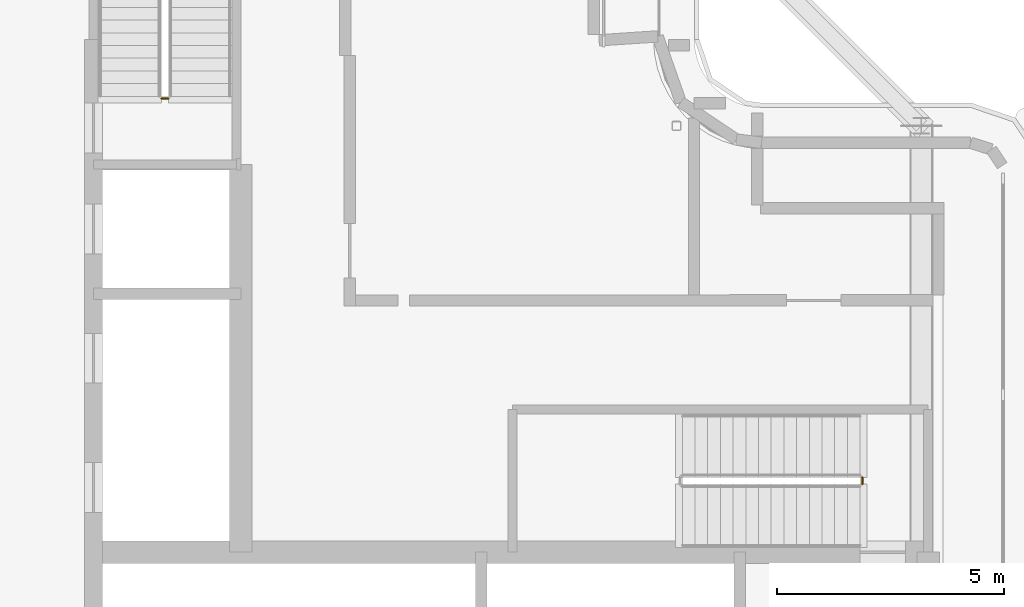
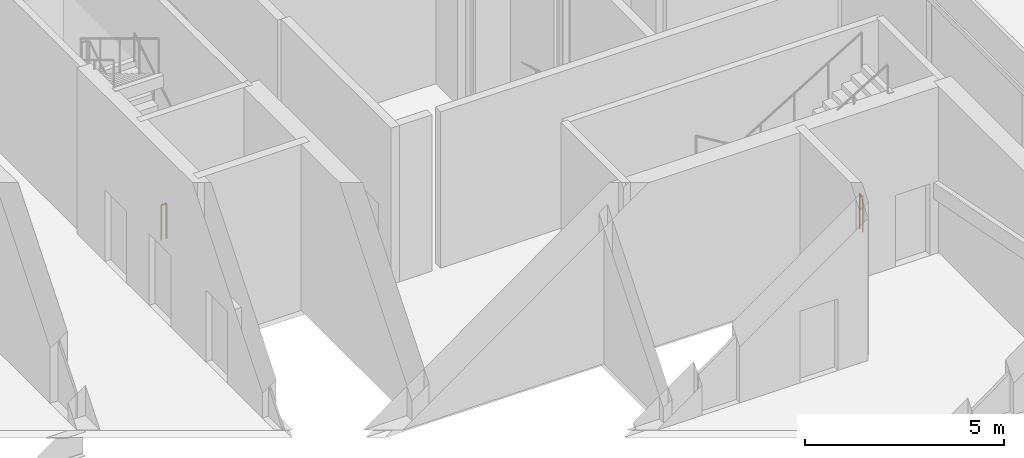
# One storey, part 15 of 18: 2 railings.
"""IFC4 building model written with IfcOpenShell, lengths in metres."""

from ifc_helpers import new_model, si_unit, direction, frame, origin, origin_2d, place, context, subcontext, project, spatial, circle, extrude, material, type_object, element, save


model = new_model("IFC4")

# Units and contexts
model_context = context("Model", 3, precision=1e-05, world=origin(), true_north=direction((0.0, 1.0)))
body_context = subcontext(model_context, "Body", "Model", "MODEL_VIEW")
ifc_project = project(units=[si_unit("LENGTHUNIT", "METRE"), si_unit("AREAUNIT", "SQUARE_METRE"), si_unit("VOLUMEUNIT", "CUBIC_METRE"), si_unit("PLANEANGLEUNIT", "RADIAN"), si_unit("MASSUNIT", "GRAM", prefix="KILO")], contexts=[model_context])

# Site, building, storey
site_placement = place(None, origin())
site = spatial("IfcSite", under=ifc_project, at=site_placement, CompositionType="ELEMENT")
building_placement = place(site_placement, origin())
building = spatial("IfcBuilding", under=site, at=building_placement, Name="Kheshtan School and Residences Tower", CompositionType="ELEMENT")
storey_placement = place(building_placement, frame((0.0, 0.0, 333.199951171875)))
storey = spatial("IfcBuildingStorey", under=building, at=storey_placement, Name="L78", CompositionType="ELEMENT", Elevation=333.199951171875)

# Railings
ifc_material = material(Name="Stainless steel balustrade", Category="steel")
railing_type = type_object("IfcRailingType", Name="Stair guard 1100", PredefinedType="GUARDRAIL", material=ifc_material)
railing_1_placement = place(storey_placement, frame((51.699951171875, 37.85009765625, 0.0)))
element("IfcRailing", 1, at=railing_1_placement, inside=storey, type_object=railing_type, Name="L78 ST1 stair guard 2", PredefinedType="GUARDRAIL", context=body_context, shape_type="SweptSolid", body=[
    extrude(circle(Radius=0.02392578125, at=origin_2d()), frame((0.0, 0.0, 1.076171875), z_axis=(0.0, -1.0, 0.0), x_axis=(1.0, 0.0, 0.0)), (0.0, 0.0, 1.0), 0.150146484375),
    extrude(circle(Radius=0.02099609375, at=origin_2d()), origin(), (0.0, 0.0, 1.0), 1.052001953125),
    extrude(circle(Radius=0.02099609375, at=origin_2d()), frame((0.0, -0.150146484375, 0.0)), (0.0, 0.0, 1.0), 1.052001953125),
])
railing_2_placement = place(storey_placement, frame((36.39990234375, 46.199951171875, 0.0)))
element("IfcRailing", 2, at=railing_2_placement, inside=storey, type_object=railing_type, Name="L78 ST2 stair guard 2", PredefinedType="GUARDRAIL", context=body_context, shape_type="SweptSolid", body=[
    extrude(circle(Radius=0.02392578125, at=origin_2d()), frame((0.0, 0.0, 1.076171875), z_axis=(-1.0, 0.0, 0.0), x_axis=(0.0, -1.0, 0.0)), (0.0, 0.0, 1.0), 0.14990234375),
    extrude(circle(Radius=0.02099609375, at=origin_2d()), origin(), (0.0, 0.0, 1.0), 1.052001953125),
    extrude(circle(Radius=0.02099609375, at=origin_2d()), frame((-0.14990234375, 0.0, 0.0)), (0.0, 0.0, 1.0), 1.052001953125),
])

save(model, "model.ifc")
